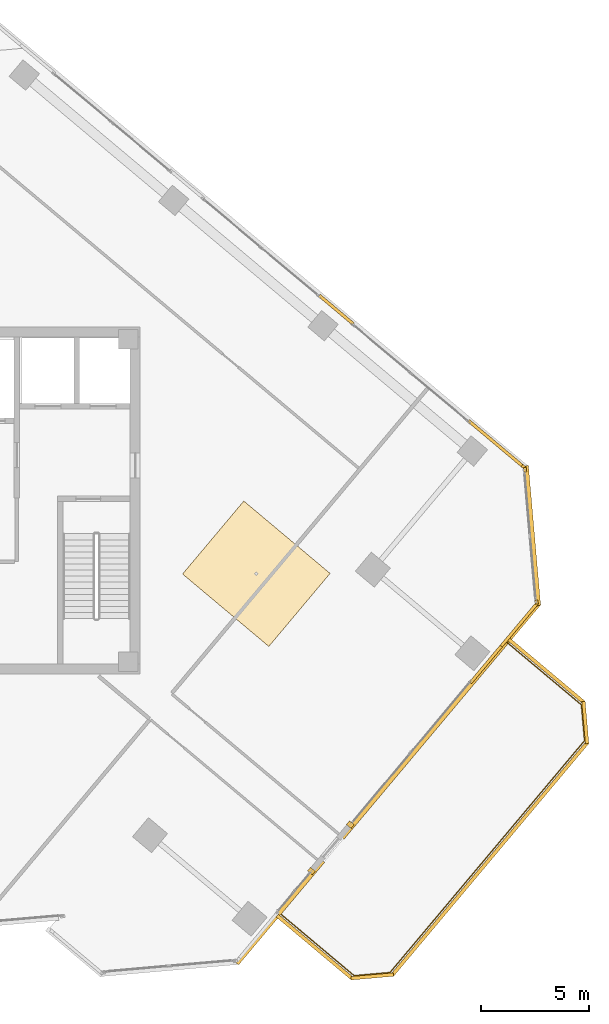
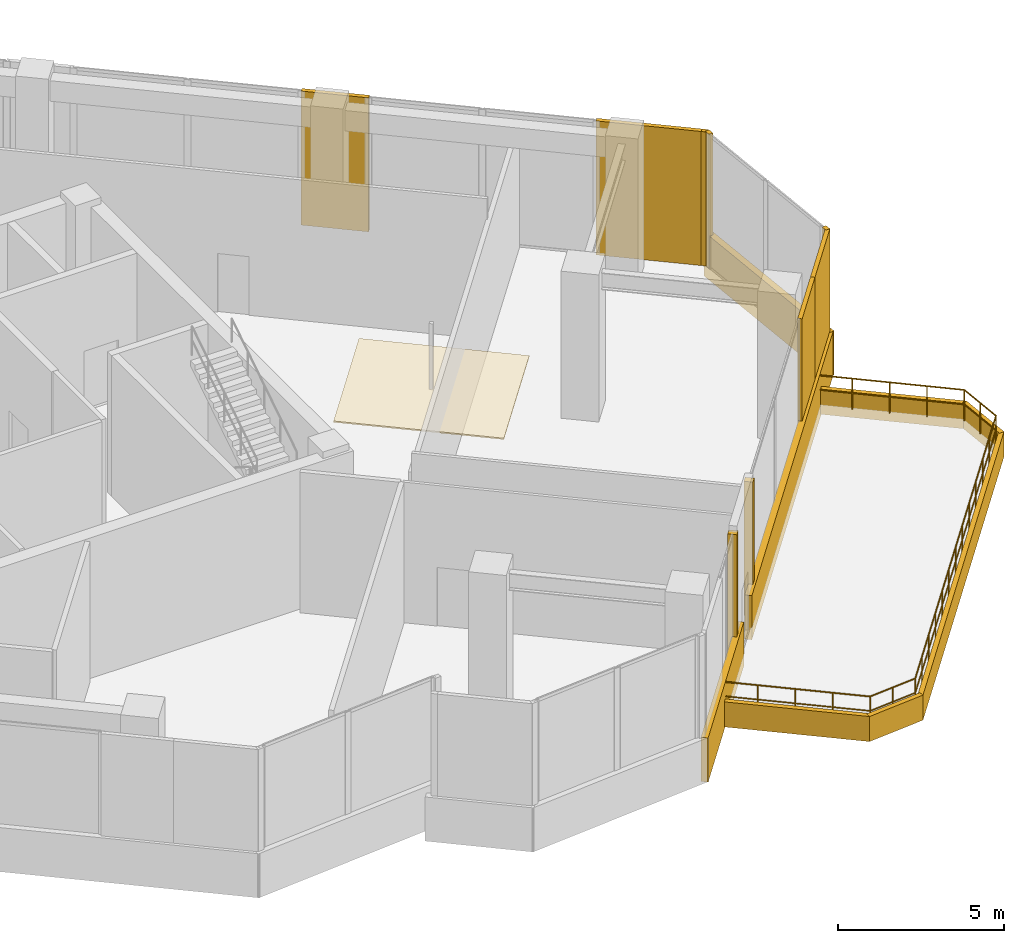
# One storey, part 16 of 17: 18 coverings, 1 railing.
"""IFC4 building model written with IfcOpenShell, lengths in metres."""

import ifcopenshell
import ifcopenshell.guid

model = None  # the IFC model being written
_history = None  # IfcOwnerHistory: only IFC2X3 demands one
_inside = {}  # id of a spatial element -> (the spatial element, [elements in it])
_under = {}  # id of a project, library or spatial element -> (it, [spatial elements below it])
_declared = {}  # id of a project -> (the project, [libraries it declares])
_typed = {}  # id of a type object -> (the type object, [elements of that type])
_made_of = {}  # id of a material, layer set ... -> (it, [elements and type objects made of it])


def new_model(schema):
    """Start an empty IFC model of exactly this schema.

    Asked for "IFC4X3", IfcOpenShell would pick the latest addendum, in which some entities
    have other attributes; the version numbers below select the first issue.
    IFC2X3 requires an IfcOwnerHistory on every rooted entity: one is made here for all.
    """
    global model, _history
    if schema == "IFC4X3":
        model = ifcopenshell.file(schema_version=(4, 3, 0, 0))
    else:
        model = ifcopenshell.file(schema=schema)
    _inside.clear()
    _under.clear()
    _declared.clear()
    _typed.clear()
    _made_of.clear()
    _history = None
    if model.schema == "IFC2X3":
        org = make("IfcOrganization", Name="unknown")
        user = make(
            "IfcPersonAndOrganization",
            ThePerson=make("IfcPerson", FamilyName="unknown"),
            TheOrganization=org,
        )
        app = make(
            "IfcApplication",
            ApplicationDeveloper=org,
            Version="unknown",
            ApplicationFullName="unknown",
            ApplicationIdentifier="unknown",
        )
        _history = make(
            "IfcOwnerHistory",
            OwningUser=user,
            OwningApplication=app,
            ChangeAction="ADDED",
            CreationDate=0,
        )
    return model


def make(cls, **values):
    """One entity of the class cls with the attributes given. An attribute that is None is left unset."""
    return model.create_entity(
        cls, **{name: value for name, value in values.items() if value is not None}
    )


def rooted(cls, **values):
    """An entity with a GlobalId (a new one), such as an element, a storey or a relation."""
    return make(cls, GlobalId=ifcopenshell.guid.new(), OwnerHistory=_history, **values)


def si_unit(unit_type, name, prefix=None):
    """IfcSIUnit, for example si_unit("LENGTHUNIT", "METRE", prefix="MILLI")."""
    return make("IfcSIUnit", UnitType=unit_type, Prefix=prefix, Name=name)


def assignment(units):
    """IfcUnitAssignment: the units of a project."""
    return None if units is None else make("IfcUnitAssignment", Units=units)


def point(xyz):
    """IfcCartesianPoint."""
    return None if xyz is None else make("IfcCartesianPoint", Coordinates=xyz)


def direction(xyz):
    """IfcDirection."""
    return None if xyz is None else make("IfcDirection", DirectionRatios=xyz)


def frame(location, z_axis=None, x_axis=None):
    """IfcAxis2Placement3D, a coordinate frame: its origin and axes. An axis left out is left unset."""
    return make(
        "IfcAxis2Placement3D",
        Location=point(location),
        Axis=direction(z_axis),
        RefDirection=direction(x_axis),
    )


def frame_2d(location, x_axis=None):
    """IfcAxis2Placement2D, a coordinate frame in the plane: its origin and x axis."""
    return make(
        "IfcAxis2Placement2D", Location=point(location), RefDirection=direction(x_axis)
    )


def origin():
    """The frame at (0, 0, 0) with its axes left unset."""
    return frame((0.0, 0.0, 0.0))


def origin_2d():
    """The frame at (0, 0) in the plane with its x axis left unset."""
    return frame_2d((0.0, 0.0))


def place(relative_to, where):
    """IfcLocalPlacement: puts the frame where relative to a parent placement (None: the world)."""
    return make(
        "IfcLocalPlacement", PlacementRelTo=relative_to, RelativePlacement=where
    )


def context(
    kind, dimensions, precision=None, world=None, true_north=None, identifier=None
):
    """IfcGeometricRepresentationContext, for example the 3D "Model" context."""
    return make(
        "IfcGeometricRepresentationContext",
        ContextIdentifier=identifier,
        ContextType=kind,
        CoordinateSpaceDimension=dimensions,
        Precision=precision,
        WorldCoordinateSystem=world,
        TrueNorth=true_north,
    )


def subcontext(parent, identifier, kind, view, scale=None):
    """IfcGeometricRepresentationSubContext, for example "Body" below "Model"."""
    return make(
        "IfcGeometricRepresentationSubContext",
        ContextIdentifier=identifier,
        ContextType=kind,
        ParentContext=parent,
        TargetScale=scale,
        TargetView=view,
    )


def project(units=None, contexts=None):
    """IfcProject with its units and contexts."""
    return rooted(
        "IfcProject",
        Name="project",
        RepresentationContexts=contexts,
        UnitsInContext=assignment(units),
    )


def spatial(cls, under=None, at=None, **own):
    """A site, building, storey or space (cls), placed at a placement, below another one or the project."""
    s = rooted(cls, ObjectPlacement=at, **own)
    if under is not None:
        _under.setdefault(under.id(), (under, []))[1].append(s)
    return s


def polyline(points):
    """IfcPolyline through the points."""
    return make("IfcPolyline", Points=[point(p) for p in points])


def profile(cls, at=None, kind="AREA", **sizes):
    """A parametric profile (cls). Its sizes go by their IFC names, for example OverallWidth=200.0."""
    return make(cls, ProfileType=kind, Position=at, **sizes)


def rectangle(**sizes):
    """IfcRectangleProfileDef."""
    return profile("IfcRectangleProfileDef", **sizes)


def circle(**sizes):
    """IfcCircleProfileDef."""
    return profile("IfcCircleProfileDef", **sizes)


def outline(outer, holes=None, kind="AREA"):
    """IfcArbitraryClosedProfileDef: a profile drawn as a closed curve; with holes, ...WithVoids."""
    if holes is None:
        return make("IfcArbitraryClosedProfileDef", ProfileType=kind, OuterCurve=outer)
    return make(
        "IfcArbitraryProfileDefWithVoids",
        ProfileType=kind,
        OuterCurve=outer,
        InnerCurves=holes,
    )


def extrude(swept, where, along, depth):
    """IfcExtrudedAreaSolid: the profile swept, set in the frame where, extruded along a direction by depth."""
    return make(
        "IfcExtrudedAreaSolid",
        SweptArea=swept,
        Position=where,
        ExtrudedDirection=direction(along),
        Depth=depth,
    )


def shape(context_of_items, identifier, shape_type, items):
    """IfcShapeRepresentation: the items that make up one representation, for example the "Body"."""
    return make(
        "IfcShapeRepresentation",
        ContextOfItems=context_of_items,
        RepresentationIdentifier=identifier,
        RepresentationType=shape_type,
        Items=items,
    )


def source(mapping_origin, context_of_items, identifier, shape_type, items):
    """IfcRepresentationMap: a shape defined once, which mapped items show again and again."""
    return make(
        "IfcRepresentationMap",
        MappingOrigin=mapping_origin,
        MappedRepresentation=shape(context_of_items, identifier, shape_type, items),
    )


def transform(
    local_origin,
    x_axis=None,
    y_axis=None,
    z_axis=None,
    scale=None,
    scale2=None,
    scale3=None,
    uniform=True,
):
    """IfcCartesianTransformationOperator3D, or its non-uniform kind. x_axis, y_axis, z_axis: its Axis1, 2, 3."""
    if uniform:
        return make(
            "IfcCartesianTransformationOperator3D",
            Axis1=direction(x_axis),
            Axis2=direction(y_axis),
            LocalOrigin=point(local_origin),
            Scale=scale,
            Axis3=direction(z_axis),
        )
    return make(
        "IfcCartesianTransformationOperator3DnonUniform",
        Axis1=direction(x_axis),
        Axis2=direction(y_axis),
        LocalOrigin=point(local_origin),
        Scale=scale,
        Axis3=direction(z_axis),
        Scale2=scale2,
        Scale3=scale3,
    )


def mapped(mapping_source, mapping_target):
    """IfcMappedItem: shows the shape of a source again, moved by a transform."""
    return make(
        "IfcMappedItem", MappingSource=mapping_source, MappingTarget=mapping_target
    )


def material(Name=None, Category=None):
    """IfcMaterial."""
    return make("IfcMaterial", Name=Name, Category=Category)


def layer(
    of_material, thickness, ventilated=None, Name=None, Category=None, Priority=None
):
    """IfcMaterialLayer: one layer of a wall or slab, of a material (None: an air gap)."""
    return make(
        "IfcMaterialLayer",
        Material=of_material,
        LayerThickness=thickness,
        IsVentilated=ventilated,
        Name=Name,
        Category=Category,
        Priority=Priority,
    )


def layer_set(layers, Name=None):
    """IfcMaterialLayerSet."""
    return make("IfcMaterialLayerSet", MaterialLayers=layers, LayerSetName=Name)


def made_of(thing, what):
    """Note that an element or type object is made of a material, layer set ...; save() writes the relation."""
    if what is not None:
        _made_of.setdefault(what.id(), (what, []))[1].append(thing)
    return thing


def type_object(cls, material=None, **own):
    """A type object (cls), such as IfcWallType, which elements share."""
    return made_of(rooted(cls, **own), material)


def element(
    cls,
    number,
    at=None,
    inside=None,
    cuts=None,
    type_object=None,
    material=None,
    context=None,
    identifier="Body",
    shape_type=None,
    held_by="IfcProductDefinitionShape",
    body=None,
    shapes=None,
    **own,
):
    """One element of the class cls, such as IfcWall. Its Tag is "e" and its number.

    at: its placement. inside: the storey or other place that contains it. cuts: it is an
    opening in that element (IfcRelVoidsElement). A single representation is given by context,
    identifier, shape_type and body (its items); several are given by shapes. held_by: the class
    of the entity that holds the representations. save() writes the other relations.
    """
    e = rooted(cls, Tag="e%d" % number, ObjectPlacement=at, **own)
    if body is not None:
        shapes = [shape(context, identifier, shape_type, body)]
    if shapes is not None:
        e.Representation = make(held_by, Representations=shapes)
    if inside is not None:
        _inside.setdefault(inside.id(), (inside, []))[1].append(e)
    if cuts is not None:
        rooted(
            "IfcRelVoidsElement", RelatingBuildingElement=cuts, RelatedOpeningElement=e
        )
    if type_object is not None:
        _typed.setdefault(type_object.id(), (type_object, []))[1].append(e)
    return made_of(e, material)


def aggregate(whole, parts):
    """IfcRelAggregates: a whole, such as a stair, and the parts it consists of."""
    return rooted("IfcRelAggregates", RelatingObject=whole, RelatedObjects=parts)


def save(model, path):
    """Write the relations noted so far, then the file.

    IfcRelAggregates (storeys below a building ...), IfcRelContainedInSpatialStructure (elements
    in a storey), IfcRelDefinesByType, IfcRelAssociatesMaterial and IfcRelDeclares: one each for
    every whole, place, type object, material and project.
    """
    for whole, parts in _under.values():
        aggregate(whole, parts)
    for where, things in _inside.values():
        rooted(
            "IfcRelContainedInSpatialStructure",
            RelatedElements=things,
            RelatingStructure=where,
        )
    for kind, things in _typed.values():
        rooted("IfcRelDefinesByType", RelatedObjects=things, RelatingType=kind)
    for what, things in _made_of.values():
        rooted("IfcRelAssociatesMaterial", RelatedObjects=things, RelatingMaterial=what)
    for by, libraries in _declared.values():
        rooted("IfcRelDeclares", RelatingContext=by, RelatedDefinitions=libraries)
    model.write(path)


model = new_model("IFC4")

# Units and contexts
model_context = context("Model", 3, precision=1e-05, world=origin(), true_north=direction((0.0, 1.0)))
body_context = subcontext(model_context, "Body", "Model", "MODEL_VIEW")
ifc_project = project(units=[si_unit("LENGTHUNIT", "METRE"), si_unit("AREAUNIT", "SQUARE_METRE"), si_unit("VOLUMEUNIT", "CUBIC_METRE"), si_unit("PLANEANGLEUNIT", "RADIAN"), si_unit("MASSUNIT", "GRAM", prefix="KILO")], contexts=[model_context])

# Site, building, storey
site_placement = place(None, origin())
site = spatial("IfcSite", under=ifc_project, at=site_placement, CompositionType="ELEMENT")
building_placement = place(site_placement, origin())
building = spatial("IfcBuilding", under=site, at=building_placement, Name="Torre Montelarca", CompositionType="ELEMENT")
storey_placement = place(building_placement, frame((0.0, 0.0, 215.199951171875)))
storey = spatial("IfcBuildingStorey", under=building, at=storey_placement, Name="L48", CompositionType="ELEMENT", Elevation=215.199951171875)

# Covering
ifc_material_1 = material(Name="Micro-perforated walnut timber acoustic slat", Category="wood")
ifc_layer_1 = layer(ifc_material_1, 0.050048828125, Name="Micro-perforated walnut timber acoustic slat", Category="wood")
ifc_layer_set_1 = layer_set([ifc_layer_1], Name="Micro-perforated walnut timber acoustic slat")
covering_type_1 = type_object("IfcCoveringType", Name="COV-CEIL-WD2", PredefinedType="CEILING", material=ifc_layer_set_1)
covering_1_placement = place(storey_placement, frame((0.0, 0.0, 2.719970703125)))
element("IfcCovering", 1, at=covering_1_placement, inside=storey, type_object=covering_type_1, Name="L48 Acoustic Suspended Ceiling 01", PredefinedType="CEILING", context=body_context, shape_type="SweptSolid", body=[
    extrude(outline(polyline([(28.9658203125, 28.607421875), (32.94921875, 25.264892578125), (35.777587890625, 28.635498046875), (31.794189453125, 31.977783203125), (28.9658203125, 28.607421875)])), origin(), (0.0, 0.0, 1.0), 0.050048828125),
])

# Railing
ifc_material_2 = material(Name="Stainless steel AISI 316 and laminated glass", Category="steel")
railing_type = type_object("IfcRailingType", Name="RL-EXT-GUARD-1150", PredefinedType="BALUSTRADE", material=ifc_material_2)
railing_placement = place(storey_placement, frame((33.390380859375, 13.00244140625, 0.0)))
element("IfcRailing", 2, at=railing_placement, inside=storey, type_object=railing_type, Name="L48 Outdoor Terrace Balustrade Guard RL-L48-TER-01", PredefinedType="BALUSTRADE", context=body_context, shape_type="SweptSolid", body=[
    extrude(circle(Radius=0.02392578125, at=origin_2d()), frame((0.0, 0.0, 1.1259765625), z_axis=(0.766048044187, -0.642783318076, 0.0), x_axis=(0.642783318076, 0.766048044187, 0.0)), (0.0, 0.0, 1.0), 4.5673828125),
    extrude(circle(Radius=0.02099609375, at=origin_2d()), frame((0.0, 0.0, 0.597900390625), z_axis=(0.766048044187, -0.642783318076, 0.0), x_axis=(0.642783318076, 0.766048044187, 0.0)), (0.0, 0.0, 1.0), 4.5673828125),
    extrude(circle(Radius=0.02392578125, at=origin_2d()), frame((3.498779296875, -2.935791015625, 1.1259765625), z_axis=(0.996195155485, 0.087150514563, 0.0), x_axis=(-0.087150514563, 0.996195155485, 0.0)), (0.0, 0.0, 1.0), 1.658447265625),
    extrude(circle(Radius=0.02099609375, at=origin_2d()), frame((3.498779296875, -2.935791015625, 0.597900390625), z_axis=(0.996195155485, 0.087150514563, 0.0), x_axis=(-0.087150514563, 0.996195155485, 0.0)), (0.0, 0.0, 1.0), 1.658447265625),
    extrude(circle(Radius=0.02392578125, at=origin_2d()), frame((5.15087890625, -2.791259765625, 1.1259765625), z_axis=(0.642789243579, 0.766043072118, 0.0), x_axis=(-0.766043072118, 0.642789243579, 0.0)), (0.0, 0.0, 1.0), 13.974609375),
    extrude(circle(Radius=0.02099609375, at=origin_2d()), frame((5.15087890625, -2.791259765625, 0.597900390625), z_axis=(0.642789243579, 0.766043072118, 0.0), x_axis=(-0.766043072118, 0.642789243579, 0.0)), (0.0, 0.0, 1.0), 13.974609375),
    extrude(circle(Radius=0.02392578125, at=origin_2d()), frame((14.133544921875, 7.913818359375, 1.1259765625), z_axis=(-0.087150514563, 0.996195155485, 0.0), x_axis=(-0.996195155485, -0.087150514563, 0.0)), (0.0, 0.0, 1.0), 1.658447265625),
    extrude(circle(Radius=0.02099609375, at=origin_2d()), frame((14.133544921875, 7.913818359375, 0.597900390625), z_axis=(-0.087150514563, 0.996195155485, 0.0), x_axis=(-0.996195155485, -0.087150514563, 0.0)), (0.0, 0.0, 1.0), 1.658447265625),
    extrude(circle(Radius=0.02392578125, at=origin_2d()), frame((13.989013671875, 9.56591796875, 1.1259765625), z_axis=(-0.766048044187, 0.642783318076, 0.0), x_axis=(-0.642783318076, -0.766048044187, 0.0)), (0.0, 0.0, 1.0), 4.5673828125),
    extrude(circle(Radius=0.02099609375, at=origin_2d()), frame((13.989013671875, 9.56591796875, 0.597900390625), z_axis=(-0.766048044187, 0.642783318076, 0.0), x_axis=(-0.642783318076, -0.766048044187, 0.0)), (0.0, 0.0, 1.0), 4.5673828125),
    extrude(circle(Radius=0.02099609375, at=origin_2d()), origin(), (0.0, 0.0, 1.0), 1.101806640625),
    extrude(circle(Radius=0.02099609375, at=origin_2d()), frame((0.874755859375, -0.73388671875, 0.0)), (0.0, 0.0, 1.0), 1.101806640625),
    extrude(circle(Radius=0.02099609375, at=origin_2d()), frame((1.74951171875, -1.4677734375, 0.0)), (0.0, 0.0, 1.0), 1.101806640625),
    extrude(circle(Radius=0.02099609375, at=origin_2d()), frame((2.6240234375, -2.201904296875, 0.0)), (0.0, 0.0, 1.0), 1.101806640625),
    extrude(circle(Radius=0.02099609375, at=origin_2d()), frame((3.498779296875, -2.935791015625, 0.0)), (0.0, 0.0, 1.0), 1.101806640625),
    extrude(circle(Radius=0.02099609375, at=origin_2d()), frame((4.32470703125, -2.863525390625, 0.0)), (0.0, 0.0, 1.0), 1.101806640625),
    extrude(circle(Radius=0.02099609375, at=origin_2d()), frame((5.15087890625, -2.791259765625, 0.0)), (0.0, 0.0, 1.0), 1.101806640625),
    extrude(circle(Radius=0.02099609375, at=origin_2d()), frame((5.8994140625, -1.899169921875, 0.0)), (0.0, 0.0, 1.0), 1.101806640625),
    extrude(circle(Radius=0.02099609375, at=origin_2d()), frame((6.64794921875, -1.007080078125, 0.0)), (0.0, 0.0, 1.0), 1.101806640625),
    extrude(circle(Radius=0.02099609375, at=origin_2d()), frame((7.396484375, -0.114990234375, 0.0)), (0.0, 0.0, 1.0), 1.101806640625),
    extrude(circle(Radius=0.02099609375, at=origin_2d()), frame((8.14501953125, 0.777099609375, 0.0)), (0.0, 0.0, 1.0), 1.101806640625),
    extrude(circle(Radius=0.02099609375, at=origin_2d()), frame((8.8935546875, 1.669189453125, 0.0)), (0.0, 0.0, 1.0), 1.101806640625),
    extrude(circle(Radius=0.02099609375, at=origin_2d()), frame((9.64208984375, 2.561279296875, 0.0)), (0.0, 0.0, 1.0), 1.101806640625),
    extrude(circle(Radius=0.02099609375, at=origin_2d()), frame((10.390869140625, 3.453369140625, 0.0)), (0.0, 0.0, 1.0), 1.101806640625),
    extrude(circle(Radius=0.02099609375, at=origin_2d()), frame((11.139404296875, 4.345458984375, 0.0)), (0.0, 0.0, 1.0), 1.101806640625),
    extrude(circle(Radius=0.02099609375, at=origin_2d()), frame((11.887939453125, 5.237548828125, 0.0)), (0.0, 0.0, 1.0), 1.101806640625),
    extrude(circle(Radius=0.02099609375, at=origin_2d()), frame((12.636474609375, 6.129638671875, 0.0)), (0.0, 0.0, 1.0), 1.101806640625),
    extrude(circle(Radius=0.02099609375, at=origin_2d()), frame((13.385009765625, 7.021728515625, 0.0)), (0.0, 0.0, 1.0), 1.101806640625),
    extrude(circle(Radius=0.02099609375, at=origin_2d()), frame((14.133544921875, 7.913818359375, 0.0)), (0.0, 0.0, 1.0), 1.101806640625),
    extrude(circle(Radius=0.02099609375, at=origin_2d()), frame((14.061279296875, 8.73974609375, 0.0)), (0.0, 0.0, 1.0), 1.101806640625),
    extrude(circle(Radius=0.02099609375, at=origin_2d()), frame((13.989013671875, 9.56591796875, 0.0)), (0.0, 0.0, 1.0), 1.101806640625),
    extrude(circle(Radius=0.02099609375, at=origin_2d()), frame((13.1142578125, 10.2998046875, 0.0)), (0.0, 0.0, 1.0), 1.101806640625),
    extrude(circle(Radius=0.02099609375, at=origin_2d()), frame((12.23974609375, 11.03369140625, 0.0)), (0.0, 0.0, 1.0), 1.101806640625),
    extrude(circle(Radius=0.02099609375, at=origin_2d()), frame((11.364990234375, 11.767822265625, 0.0)), (0.0, 0.0, 1.0), 1.101806640625),
    extrude(circle(Radius=0.02099609375, at=origin_2d()), frame((10.490234375, 12.501708984375, 0.0)), (0.0, 0.0, 1.0), 1.101806640625),
])

# Coverings
ifc_material_3 = material(Name="Bush-hammered warm white precast concrete C45/55", Category="concrete")
ifc_layer_2 = layer(ifc_material_3, 0.139892578125, Name="Bush-hammered warm white precast concrete C45/55", Category="concrete")
ifc_layer_set_2 = layer_set([ifc_layer_2], Name="Bush-hammered warm white precast concrete C45/55")
covering_type_2 = type_object("IfcCoveringType", Name="COV-TRAY-CLAD", PredefinedType="CLADDING", material=ifc_layer_set_2)
shared_shape_1 = source(origin(), body_context, "Body", "SweptSolid", [
    extrude(rectangle(XDim=6.48388671875, YDim=0.219970703125, at=origin_2d()), origin(), (0.0, 0.0, 1.0), 1.6201171875),
])
covering_2_placement = place(storey_placement, frame((45.106689453125, 30.374267578125, -0.449951171875), z_axis=(0.0, 0.0, 1.0), x_axis=(-0.087162697497, 0.996194089606, 0.0)))
element("IfcCovering", 3, at=covering_2_placement, inside=storey, type_object=covering_type_2, Name="L48 Architectural White Spandrel Tray Band TRYBOT-07", PredefinedType="CLADDING", context=body_context, shape_type="MappedRepresentation", body=[
    mapped(shared_shape_1, transform((0.0, 0.0, 0.0), scale=1.0)),
])
shared_shape_2 = source(origin(), body_context, "Body", "SweptSolid", [
    extrude(rectangle(XDim=0.199951171875, YDim=0.139892578125, at=origin_2d()), origin(), (0.0, 0.0, 1.0), 4.919921875),
])
for number, where, z_axis, x_axis, name in (
    (4, (45.314208984375, 27.314697265625, 0.0), (0.0, 0.0, 1.0), (-0.087176606982, 0.996192872488, 0.0), "L48 Architectural Column Pier Cladding E07-1"),
    (5, (44.77978515625, 33.423583984375, 0.0), (0.0, 0.0, 1.0), (-0.087176606982, 0.996192872488, 0.0), "L48 Architectural Column Pier Cladding E07-2"),
    (6, (44.712646484375, 33.55224609375, 0.0), (0.0, 0.0, 1.0), (-0.766043321242, 0.642788946685, 0.0), "L48 Architectural Column Pier Cladding E08-1"),
):
    element("IfcCovering", number, at=place(storey_placement, frame(where, z_axis=z_axis, x_axis=x_axis)), inside=storey, type_object=covering_type_2, Name=name, PredefinedType="CLADDING", context=body_context, shape_type="MappedRepresentation", body=[
        mapped(shared_shape_2, transform((0.0, 0.0, 0.0), scale=1.0)),
    ])
shared_shape_3 = source(origin(), body_context, "Body", "SweptSolid", [
    extrude(rectangle(XDim=2.2099609375, YDim=0.139892578125, at=origin_2d()), origin(), (0.0, 0.0, 1.0), 4.919921875),
])
covering_3_placement = place(storey_placement, frame((42.966796875, 24.430419921875, 0.0), z_axis=(0.0, 0.0, 1.0), x_axis=(0.642787609687, 0.766044443119, 0.0)))
element("IfcCovering", 7, at=covering_3_placement, inside=storey, type_object=covering_type_2, Name="L48 Architectural Column Pier Cladding E06-3", PredefinedType="CLADDING", context=body_context, shape_type="MappedRepresentation", body=[
    mapped(shared_shape_3, transform((0.0, 0.0, 0.0), scale=1.0)),
])
shared_shape_4 = source(origin(), body_context, "Body", "SweptSolid", [
    extrude(rectangle(XDim=0.219970703125, YDim=0.280029296875, at=origin_2d()), origin(), (0.0, 0.0, 1.0), 4.919921875),
])
for number, where, z_axis, x_axis, name in (
    (8, (34.911376953125, 14.892822265625, 0.0), (0.0, 0.0, 1.0), (0.642787609687, 0.766044443119, 0.0), "L48 Terrace Portal Jamb Closure Mullion E06-A"),
    (9, (36.711181640625, 17.037841796875, 0.0), (0.0, 0.0, 1.0), (0.642787609687, 0.766044443119, 0.0), "L48 Terrace Portal Jamb Closure Mullion E06-B"),
):
    element("IfcCovering", number, at=place(storey_placement, frame(where, z_axis=z_axis, x_axis=x_axis)), inside=storey, type_object=covering_type_2, Name=name, PredefinedType="CLADDING", context=body_context, shape_type="MappedRepresentation", body=[
        mapped(shared_shape_4, transform((0.0, 0.0, 0.0), scale=1.0)),
    ])
shared_shape_5 = source(origin(), body_context, "Body", "SweptSolid", [
    extrude(rectangle(XDim=2.67919921875, YDim=0.139892578125, at=origin_2d()), origin(), (0.0, 0.0, 1.0), 4.919921875),
])
covering_4_placement = place(storey_placement, frame((44.473876953125, 26.2265625, 0.0), z_axis=(0.0, 0.0, 1.0), x_axis=(0.642787609687, 0.766044443119, 0.0)))
element("IfcCovering", 10, at=covering_4_placement, inside=storey, type_object=covering_type_2, Name="L48 Architectural Column Pier Cladding E06-4", PredefinedType="CLADDING", context=body_context, shape_type="MappedRepresentation", body=[
    mapped(shared_shape_5, transform((0.0, 0.0, 0.0), scale=1.0)),
])
shared_shape_6 = source(origin(), body_context, "Body", "SweptSolid", [
    extrude(rectangle(XDim=2.06005859375, YDim=0.139892578125, at=origin_2d()), origin(), (0.0, 0.0, 1.0), 4.919921875),
])
covering_5_placement = place(storey_placement, frame((36.068603515625, 40.8056640625, 0.0), z_axis=(0.0, 0.0, 1.0), x_axis=(-0.766043321242, 0.642788946685, 0.0)))
element("IfcCovering", 11, at=covering_5_placement, inside=storey, type_object=covering_type_2, Name="L48 Architectural Column Pier Cladding E08-3", PredefinedType="CLADDING", context=body_context, shape_type="MappedRepresentation", body=[
    mapped(shared_shape_6, transform((0.0, 0.0, 0.0), scale=1.0)),
])
shared_shape_7 = source(origin(), body_context, "Body", "SweptSolid", [
    extrude(rectangle(XDim=3.314208984375, YDim=0.139892578125, at=origin_2d()), origin(), (0.0, 0.0, 1.0), 4.919921875),
])
covering_6_placement = place(storey_placement, frame((43.443359375, 34.617431640625, 0.0), z_axis=(0.0, 0.0, 1.0), x_axis=(-0.766043321242, 0.642788946685, 0.0)))
element("IfcCovering", 12, at=covering_6_placement, inside=storey, type_object=covering_type_2, Name="L48 Architectural Column Pier Cladding E08-2", PredefinedType="CLADDING", context=body_context, shape_type="MappedRepresentation", body=[
    mapped(shared_shape_7, transform((0.0, 0.0, 0.0), scale=1.0)),
])
shared_shape_8 = source(origin(), body_context, "Body", "SweptSolid", [
    extrude(rectangle(XDim=6.176025390625, YDim=0.219970703125, at=origin_2d()), origin(), (0.0, 0.0, 1.0), 1.6201171875),
])
covering_7_placement = place(storey_placement, frame((33.453125, 12.99951171875, -0.449951171875), z_axis=(0.0, 0.0, 1.0), x_axis=(0.642786272686, 0.766045564994, 0.0)))
element("IfcCovering", 13, at=covering_7_placement, inside=storey, type_object=covering_type_2, Name="L48 Architectural White Spandrel Tray Band TRYBOT-06A", PredefinedType="CLADDING", context=body_context, shape_type="MappedRepresentation", body=[
    mapped(shared_shape_8, transform((0.0, 0.0, 0.0), scale=1.0)),
])
shared_shape_9 = source(origin(), body_context, "Body", "SweptSolid", [
    extrude(rectangle(XDim=14.14404296875, YDim=0.219970703125, at=origin_2d()), origin(), (0.0, 0.0, 1.0), 1.6201171875),
])
covering_8_placement = place(storey_placement, frame((40.8837890625, 21.85498046875, -0.449951171875), z_axis=(0.0, 0.0, 1.0), x_axis=(0.642786272686, 0.766045564994, 0.0)))
element("IfcCovering", 14, at=covering_8_placement, inside=storey, type_object=covering_type_2, Name="L48 Architectural White Spandrel Tray Band TRYBOT-06B", PredefinedType="CLADDING", context=body_context, shape_type="MappedRepresentation", body=[
    mapped(shared_shape_9, transform((0.0, 0.0, 0.0), scale=1.0)),
])
shared_shape_10 = source(origin(), body_context, "Body", "SweptSolid", [
    extrude(rectangle(XDim=4.530029296875, YDim=0.159912109375, at=origin_2d()), origin(), (0.0, 0.0, 1.0), 0.919921875),
])
for number, where, z_axis, x_axis, name in (
    (15, (35.068603515625, 11.38525390625, -0.35986328125), (0.0, 0.0, 1.0), (0.76603883371, -0.642794294661, 0.0), "L48 Architectural White Spandrel Tray Band TERBND1-01"),
    (16, (45.7646484375, 24.13232421875, -0.35986328125), (0.0, 0.0, 1.0), (-0.76603883371, 0.642794294661, 0.0), "L48 Architectural White Spandrel Tray Band TERBND1-05"),
):
    element("IfcCovering", number, at=place(storey_placement, frame(where, z_axis=z_axis, x_axis=x_axis)), inside=storey, type_object=covering_type_2, Name=name, PredefinedType="CLADDING", context=body_context, shape_type="MappedRepresentation", body=[
        mapped(shared_shape_10, transform((0.0, 0.0, 0.0), scale=1.0)),
    ])
shared_shape_11 = source(origin(), body_context, "Body", "SweptSolid", [
    extrude(rectangle(XDim=1.95849609375, YDim=0.159912109375, at=origin_2d()), origin(), (0.0, 0.0, 1.0), 0.919921875),
])
for number, where, z_axis, x_axis, name in (
    (17, (37.724609375, 10.031982421875, -0.35986328125), (0.0, 0.0, 1.0), (0.996191655175, 0.087190516449, 0.0), "L48 Architectural White Spandrel Tray Band TERBND1-02"),
    (18, (47.55859375, 21.751708984375, -0.35986328125), (0.0, 0.0, 1.0), (-0.087190516449, 0.996191655175, 0.0), "L48 Architectural White Spandrel Tray Band TERBND1-04"),
):
    element("IfcCovering", number, at=place(storey_placement, frame(where, z_axis=z_axis, x_axis=x_axis)), inside=storey, type_object=covering_type_2, Name=name, PredefinedType="CLADDING", context=body_context, shape_type="MappedRepresentation", body=[
        mapped(shared_shape_11, transform((0.0, 0.0, 0.0), scale=1.0)),
    ])
shared_shape_12 = source(origin(), body_context, "Body", "SweptSolid", [
    extrude(rectangle(XDim=14.02001953125, YDim=0.159912109375, at=origin_2d()), origin(), (0.0, 0.0, 1.0), 0.919921875),
])
covering_9_placement = place(storey_placement, frame((43.1552734375, 15.4609375, -0.35986328125), z_axis=(0.0, 0.0, 1.0), x_axis=(0.642790283682, 0.766042199362, 0.0)))
element("IfcCovering", 19, at=covering_9_placement, inside=storey, type_object=covering_type_2, Name="L48 Architectural White Spandrel Tray Band TERBND1-03", PredefinedType="CLADDING", context=body_context, shape_type="MappedRepresentation", body=[
    mapped(shared_shape_12, transform((0.0, 0.0, 0.0), scale=1.0)),
])

save(model, "model.ifc")
